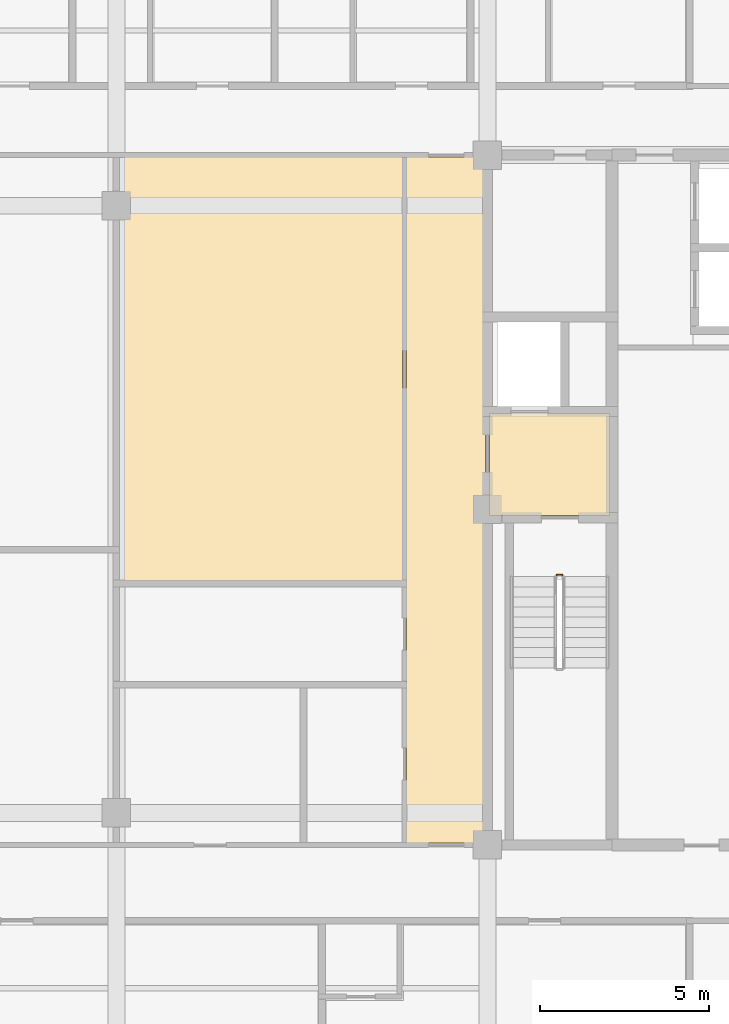
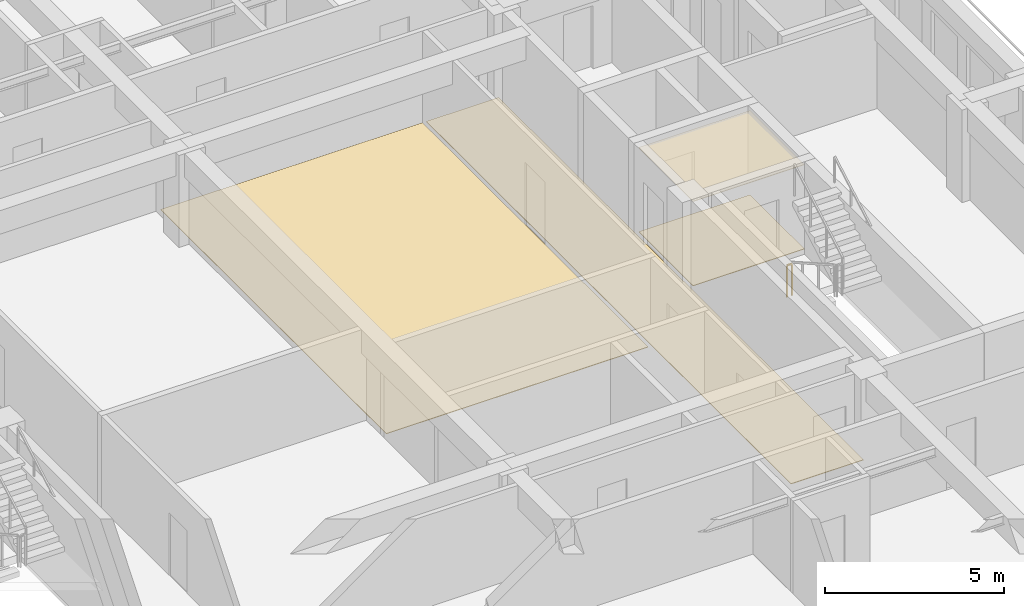
# One storey, part 13 of 14: 4 coverings, 1 railing.
"""IFC4 building model written with IfcOpenShell, lengths in metres."""

from ifc_helpers import new_model, si_unit, direction, frame, origin, origin_2d, place, context, subcontext, project, spatial, polyline, rectangle, outline, extrude, material, layer, layer_set, type_object, element, save


model = new_model("IFC4")

# Units and contexts
model_context = context("Model", 3, precision=1e-05, world=origin(), true_north=direction((0.0, 1.0)))
body_context = subcontext(model_context, "Body", "Model", "MODEL_VIEW")
ifc_project = project(units=[si_unit("LENGTHUNIT", "METRE"), si_unit("AREAUNIT", "SQUARE_METRE"), si_unit("VOLUMEUNIT", "CUBIC_METRE"), si_unit("PLANEANGLEUNIT", "RADIAN"), si_unit("MASSUNIT", "GRAM", prefix="KILO")], contexts=[model_context])

# Site, building, storey
site_placement = place(None, origin())
site = spatial("IfcSite", under=ifc_project, at=site_placement, CompositionType="ELEMENT")
building_placement = place(site_placement, origin())
building = spatial("IfcBuilding", under=site, at=building_placement, Name="Zulmaris Gate Convention Tower", CompositionType="ELEMENT")
storey_placement = place(building_placement, frame((0.0, 0.0, 194.85986328125)))
storey = spatial("IfcBuildingStorey", under=building, at=storey_placement, Name="L50", CompositionType="ELEMENT", Elevation=194.85986328125)

# Coverings
ifc_material_1 = material(Name="Mineral Fibre Acoustic Ceiling Tile")
ifc_layer_1 = layer(ifc_material_1, 0.02001953125, Name="Mineral Fibre Acoustic Ceiling Tile")
ifc_layer_set_1 = layer_set([ifc_layer_1], Name="Mineral Fibre Acoustic Ceiling Tile")
covering_type_1 = type_object("IfcCoveringType", Name="CLG-ACOUSTIC-600", PredefinedType="CEILING", material=ifc_layer_set_1)
covering_1_placement = place(storey_placement, frame((0.0, 0.0, 2.8701171875)))
element("IfcCovering", 1, at=covering_1_placement, inside=storey, type_object=covering_type_1, Name="CLG-L50-R08", PredefinedType="CEILING", context=body_context, shape_type="SweptSolid", body=[
    extrude(outline(polyline([(11.06005859375, -0.18994140625), (14.639892578125, -0.18994140625), (14.639892578125, 2.840087890625), (11.06005859375, 2.840087890625), (11.06005859375, -0.18994140625)])), origin(), (0.0, 0.0, 1.0), 0.02001953125),
])
ifc_material_2 = material(Name="Woven Acoustic Wool Carpet Tile")
ifc_layer_2 = layer(ifc_material_2, 0.02001953125, Name="Woven Acoustic Wool Carpet Tile")
ifc_layer_set_2 = layer_set([ifc_layer_2], Name="Woven Acoustic Wool Carpet Tile")
covering_type_2 = type_object("IfcCoveringType", Name="FLR-CARPET-12", PredefinedType="FLOORING", material=ifc_layer_set_2)
covering_2_placement = place(storey_placement, origin())
element("IfcCovering", 2, at=covering_2_placement, inside=storey, type_object=covering_type_2, Name="FLR-L50-R08", PredefinedType="FLOORING", context=body_context, shape_type="SweptSolid", body=[
    extrude(outline(polyline([(11.06005859375, -0.18994140625), (14.639892578125, -0.18994140625), (14.639892578125, 2.840087890625), (11.06005859375, 2.840087890625), (11.06005859375, -0.18994140625)])), origin(), (0.0, 0.0, 1.0), 0.02001953125),
])
covering_3_placement = place(storey_placement, origin())
element("IfcCovering", 3, at=covering_3_placement, inside=storey, type_object=covering_type_2, Name="FLR-L50-R28", PredefinedType="FLOORING", context=body_context, shape_type="SweptSolid", body=[
    extrude(outline(polyline([(8.610107421875, -9.889892578125), (10.93994140625, -9.889892578125), (10.93994140625, 10.43994140625), (8.610107421875, 10.43994140625), (8.610107421875, -9.889892578125)])), origin(), (0.0, 0.0, 1.0), 0.02001953125),
])
ifc_material_3 = material(Name="Engineered Teak Parquet Flooring")
ifc_layer_3 = layer(ifc_material_3, 0.02001953125, Name="Engineered Teak Parquet Flooring")
ifc_layer_set_3 = layer_set([ifc_layer_3], Name="Engineered Teak Parquet Flooring")
covering_type_3 = type_object("IfcCoveringType", Name="FLR-TIMBER-18", PredefinedType="FLOORING", material=ifc_layer_set_3)
covering_4_placement = place(storey_placement, origin())
element("IfcCovering", 4, at=covering_4_placement, inside=storey, type_object=covering_type_3, Name="FLR-L50-R48", PredefinedType="FLOORING", context=body_context, shape_type="SweptSolid", body=[
    extrude(outline(polyline([(0.06005859375, -2.139892578125), (8.489990234375, -2.139892578125), (8.489990234375, 10.43994140625), (0.06005859375, 10.43994140625), (0.06005859375, -2.139892578125)])), origin(), (0.0, 0.0, 1.0), 0.02001953125),
])

# Railing
ifc_material_4 = material(Name="Painted Galvanised Steel", Category="steel")
railing_type = type_object("IfcRailingType", Name="RL-STG-1150", PredefinedType="GUARDRAIL", material=ifc_material_4)
railing_placement = place(storey_placement, frame((13.06005859375, -1.949951171875, 0.0)))
element("IfcRailing", 5, at=railing_placement, inside=storey, type_object=railing_type, Name="L50 ST-2 stair guard 4", PredefinedType="GUARDRAIL", context=body_context, shape_type="SweptSolid", body=[
    extrude(rectangle(XDim=0.048095703125, YDim=0.048095703125, at=origin_2d()), frame((0.0, 0.0, 1.076171875), z_axis=(1.0, 0.0, 0.0), x_axis=(0.0, 1.0, 0.0)), (0.0, 0.0, 1.0), 0.159912109375),
    extrude(rectangle(XDim=0.0419921875, YDim=0.0419921875, at=origin_2d()), origin(), (0.0, 0.0, 1.0), 1.052001953125),
    extrude(rectangle(XDim=0.0419921875, YDim=0.0419921875, at=origin_2d()), frame((0.159912109375, 0.0, 0.0)), (0.0, 0.0, 1.0), 1.052001953125),
])

save(model, "model.ifc")
